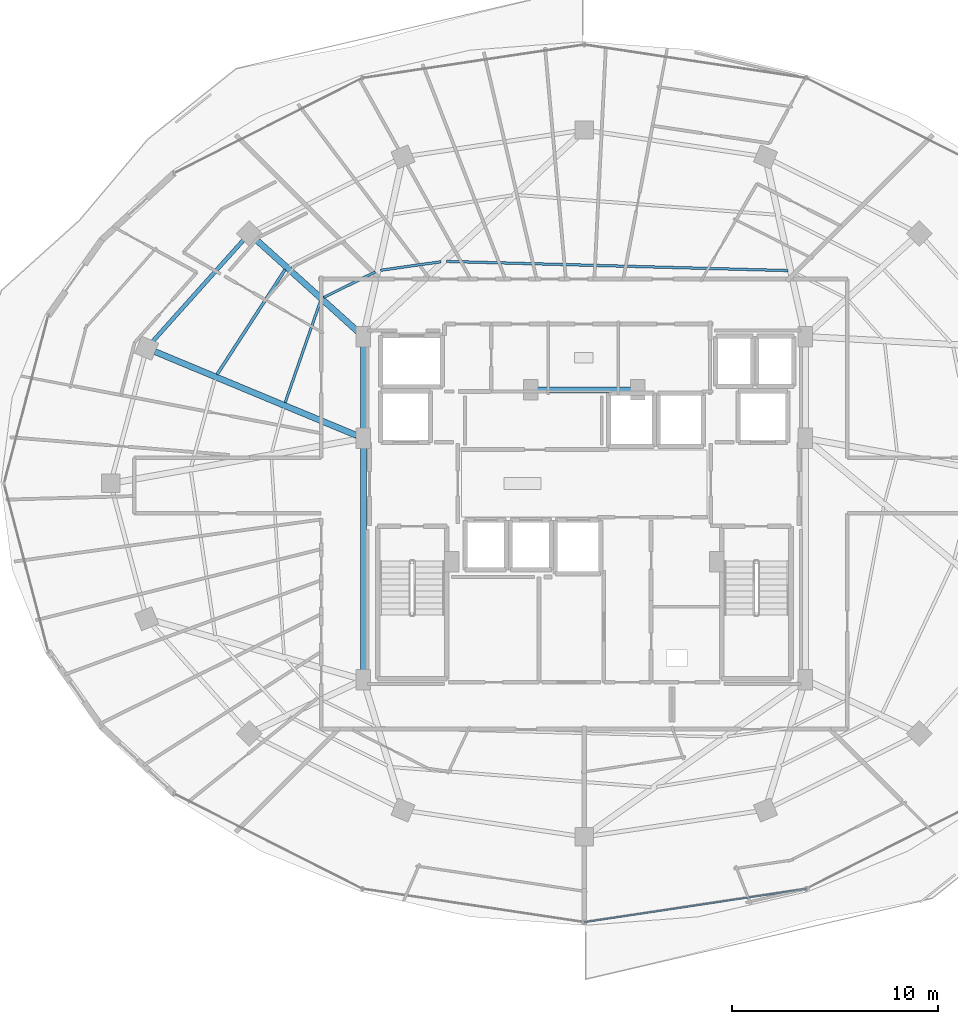
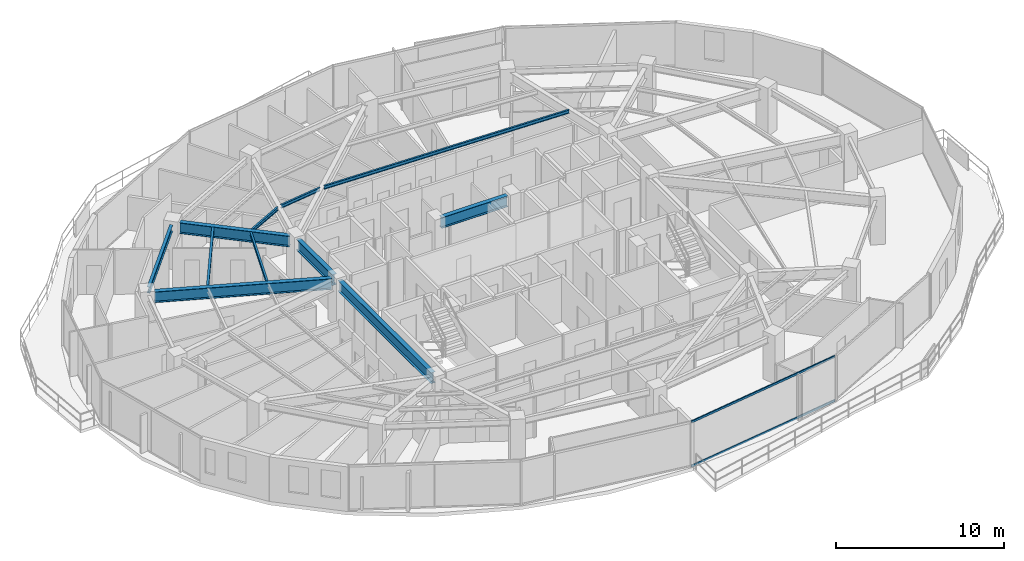
# One storey, part 10 of 31: 11 beams, 2 members, 1 element without a shape of its own.
"""IFC4 building model written with IfcOpenShell, lengths in metres."""

from ifc_helpers import new_model, si_unit, direction, frame, origin, origin_2d, place, context, subcontext, project, spatial, hollow_rectangle, i_section, extrude, material, material_profile, profile_set, type_object, element, aggregate, save


model = new_model("IFC4")

# Units and contexts
model_context = context("Model", 3, precision=1e-05, world=origin(), true_north=direction((0.0, 1.0)))
body_context = subcontext(model_context, "Body", "Model", "MODEL_VIEW")
ifc_project = project(units=[si_unit("LENGTHUNIT", "METRE"), si_unit("AREAUNIT", "SQUARE_METRE"), si_unit("VOLUMEUNIT", "CUBIC_METRE"), si_unit("PLANEANGLEUNIT", "RADIAN"), si_unit("MASSUNIT", "GRAM", prefix="KILO")], contexts=[model_context])

# Site, building, storey
site_placement = place(None, origin())
site = spatial("IfcSite", under=ifc_project, at=site_placement, CompositionType="ELEMENT")
building_placement = place(site_placement, origin())
building = spatial("IfcBuilding", under=site, at=building_placement, Name="Vorneva Point Tower", CompositionType="ELEMENT")
storey_placement = place(building_placement, frame((0.0, 0.0, 193.10009765625)))
storey = spatial("IfcBuildingStorey", under=building, at=storey_placement, Name="L52", CompositionType="ELEMENT", Elevation=193.10009765625)

# Beams
ifc_material_1 = material(Name="Steel S355", Category="steel")
ifc_material_profile_1 = material_profile(ifc_material_1, i_section(OverallWidth=0.300048828125, OverallDepth=0.7880859375, WebThickness=0.014404296875, FlangeThickness=0.02197265625, at=origin_2d()), Name="80Sh1")
ifc_profile_set_1 = profile_set([ifc_material_profile_1], Name="Steel S355")
beam_type_1 = type_object("IfcBeamType", Name="BM-GRD-80Sh1", PredefinedType="USERDEFINED", material=ifc_profile_set_1)
beam_1_placement = place(storey_placement, frame((22.026123046875, 37.86865234375, 2.845947265625), z_axis=(0.742089778537, -0.670300500217, 0.0), x_axis=(0.670300500217, 0.742089778537, 0.0)))
element("IfcBeam", 1, at=beam_1_placement, inside=storey, type_object=beam_type_1, Name="L52 Radial Primary Girder 07", ObjectType="GIRDER", PredefinedType="USERDEFINED", context=body_context, shape_type="SweptSolid", body=[
    extrude(i_section(OverallWidth=0.300048828125, OverallDepth=0.7880859375, WebThickness=0.014404296875, FlangeThickness=0.02197265625, at=origin_2d()), origin(), (0.0, 0.0, 1.0), 6.699462890625),
])
beam_2_placement = place(storey_placement, frame((17.109130859375, 32.4140625, 2.845947265625), z_axis=(0.923445067159, -0.383730645035, 0.0), x_axis=(0.383730645035, 0.923445067159, 0.0)))
element("IfcBeam", 2, at=beam_2_placement, inside=storey, type_object=beam_type_1, Name="L52 Radial Primary Girder 08", ObjectType="GIRDER", PredefinedType="USERDEFINED", context=body_context, shape_type="SweptSolid", body=[
    extrude(i_section(OverallWidth=0.300048828125, OverallDepth=0.7880859375, WebThickness=0.014404296875, FlangeThickness=0.02197265625, at=origin_2d()), origin(), (0.0, 0.0, 1.0), 10.6416015625),
])
beam_3_placement = place(storey_placement, frame((27.25, 16.77001953125, 2.845947265625), z_axis=(0.0, 1.0, 0.0), x_axis=(-1.0, 0.0, 0.0)))
element("IfcBeam", 3, at=beam_3_placement, inside=storey, type_object=beam_type_1, Name="L52 Core Tie Girder CT1", ObjectType="GIRDER", PredefinedType="USERDEFINED", context=body_context, shape_type="SweptSolid", body=[
    extrude(i_section(OverallWidth=0.300048828125, OverallDepth=0.7880859375, WebThickness=0.014404296875, FlangeThickness=0.02197265625, at=origin_2d()), origin(), (0.0, 0.0, 1.0), 11.10986328125),
])
beam_4_placement = place(storey_placement, frame((27.25, 28.52001953125, 2.845947265625), z_axis=(0.0, 1.0, 0.0), x_axis=(-1.0, 0.0, 0.0)))
element("IfcBeam", 4, at=beam_4_placement, inside=storey, type_object=beam_type_1, Name="L52 Core Tie Girder CT2", ObjectType="GIRDER", PredefinedType="USERDEFINED", context=body_context, shape_type="SweptSolid", body=[
    extrude(i_section(OverallWidth=0.300048828125, OverallDepth=0.7880859375, WebThickness=0.014404296875, FlangeThickness=0.02197265625, at=origin_2d()), origin(), (0.0, 0.0, 1.0), 4.31005859375),
])
beam_5_placement = place(storey_placement, frame((35.719970703125, 30.550048828125, 2.845947265625), z_axis=(1.0, 0.0, 0.0), x_axis=(0.0, 1.0, 0.0)))
element("IfcBeam", 5, at=beam_5_placement, inside=storey, type_object=beam_type_1, Name="L52 Core Tie Girder CT8", ObjectType="GIRDER", PredefinedType="USERDEFINED", context=body_context, shape_type="SweptSolid", body=[
    extrude(i_section(OverallWidth=0.300048828125, OverallDepth=0.7880859375, WebThickness=0.014404296875, FlangeThickness=0.02197265625, at=origin_2d()), origin(), (0.0, 0.0, 1.0), 4.56005859375),
])
ifc_material_profile_2 = material_profile(ifc_material_1, i_section(OverallWidth=0.1240234375, OverallDepth=0.248046875, WebThickness=0.0048828125, FlangeThickness=0.008056640625, at=origin_2d()), Name="25B1")
ifc_profile_set_2 = profile_set([ifc_material_profile_2], Name="Steel S355")
beam_type_2 = type_object("IfcBeamType", Name="BM-JST-25B1", PredefinedType="JOIST", material=ifc_profile_set_2)
beam_6_placement = place(storey_placement, frame((47.904541015625, 36.35888671875, 3.115966796875), z_axis=(-0.999638918345, 0.026870670432, 0.0), x_axis=(-0.026870670432, -0.999638918345, 0.0)))
element("IfcBeam", 6, at=beam_6_placement, inside=storey, type_object=beam_type_2, Name="L52 Secondary Floor Beam 2.04", PredefinedType="JOIST", context=body_context, shape_type="SweptSolid", body=[
    extrude(i_section(OverallWidth=0.1240234375, OverallDepth=0.248046875, WebThickness=0.0048828125, FlangeThickness=0.008056640625, at=origin_2d()), origin(), (0.0, 0.0, 1.0), 16.60888671875),
])
beam_7_placement = place(storey_placement, frame((31.027099609375, 36.78955078125, 3.115966796875), z_axis=(-0.990136526525, -0.140105884393, 0.0), x_axis=(0.140105884393, -0.990136526525, 0.0)))
element("IfcBeam", 7, at=beam_7_placement, inside=storey, type_object=beam_type_2, Name="L52 Secondary Floor Beam 2.05", PredefinedType="JOIST", context=body_context, shape_type="SweptSolid", body=[
    extrude(i_section(OverallWidth=0.1240234375, OverallDepth=0.248046875, WebThickness=0.0048828125, FlangeThickness=0.008056640625, at=origin_2d()), origin(), (0.0, 0.0, 1.0), 2.96240234375),
])
beam_8_placement = place(storey_placement, frame((27.833740234375, 36.2939453125, 3.115966796875), z_axis=(-0.896290822353, -0.443466753845, 0.0), x_axis=(0.443466753845, -0.896290822353, 0.0)))
element("IfcBeam", 8, at=beam_8_placement, inside=storey, type_object=beam_type_2, Name="L52 Secondary Floor Beam 2.06", PredefinedType="JOIST", context=body_context, shape_type="SweptSolid", body=[
    extrude(i_section(OverallWidth=0.1240234375, OverallDepth=0.248046875, WebThickness=0.0048828125, FlangeThickness=0.008056640625, at=origin_2d()), origin(), (0.0, 0.0, 1.0), 2.791748046875),
])
beam_9_placement = place(storey_placement, frame((25.16259765625, 34.8642578125, 3.115966796875), z_axis=(-0.329040775193, -0.944315714293, 0.0), x_axis=(0.944315714293, -0.329040775193, 0.0)))
element("IfcBeam", 9, at=beam_9_placement, inside=storey, type_object=beam_type_2, Name="L52 Secondary Floor Beam 2.07", PredefinedType="JOIST", context=body_context, shape_type="SweptSolid", body=[
    extrude(i_section(OverallWidth=0.1240234375, OverallDepth=0.248046875, WebThickness=0.0048828125, FlangeThickness=0.008056640625, at=origin_2d()), origin(), (0.0, 0.0, 1.0), 5.224365234375),
])
ifc_material_profile_3 = material_profile(ifc_material_1, i_section(OverallWidth=0.14892578125, OverallDepth=0.298095703125, WebThickness=0.005615234375, FlangeThickness=0.008056640625, at=origin_2d()), Name="30B1")
ifc_profile_set_3 = profile_set([ifc_material_profile_3], Name="Steel S355")
beam_type_3 = type_object("IfcBeamType", Name="BM-JST-30B1", PredefinedType="JOIST", material=ifc_profile_set_3)
beam_10_placement = place(storey_placement, frame((23.4423828125, 36.405517578125, 3.0908203125), z_axis=(-0.544354543714, -0.83885525017, 0.0), x_axis=(0.83885525017, -0.544354543714, 0.0)))
element("IfcBeam", 10, at=beam_10_placement, inside=storey, type_object=beam_type_3, Name="L52 Secondary Floor Beam 1.07", PredefinedType="JOIST", context=body_context, shape_type="SweptSolid", body=[
    extrude(i_section(OverallWidth=0.14892578125, OverallDepth=0.298095703125, WebThickness=0.005615234375, FlangeThickness=0.008056640625, at=origin_2d()), origin(), (0.0, 0.0, 1.0), 6.080810546875),
])
ifc_material_profile_4 = material_profile(ifc_material_1, i_section(OverallWidth=0.198974609375, OverallDepth=0.446044921875, WebThickness=0.008056640625, FlangeThickness=0.011962890625, at=origin_2d()), Name="45B1")
ifc_profile_set_4 = profile_set([ifc_material_profile_4], Name="Steel S355")
beam_type_4 = type_object("IfcBeamType", Name="BM-SPN-45B1", PredefinedType="SPANDREL", material=ifc_profile_set_4)
beam_11_placement = place(storey_placement, frame((21.410888671875, 37.838134765625, 3.016845703125), z_axis=(-0.66706970547, -0.744995307397, 0.0), x_axis=(0.744995307397, -0.66706970547, 0.0)))
element("IfcBeam", 11, at=beam_11_placement, inside=storey, type_object=beam_type_4, Name="L52 Perimeter Spandrel Ring Beam 07", PredefinedType="SPANDREL", context=body_context, shape_type="SweptSolid", body=[
    extrude(i_section(OverallWidth=0.198974609375, OverallDepth=0.446044921875, WebThickness=0.008056640625, FlangeThickness=0.011962890625, at=origin_2d()), origin(), (0.0, 0.0, 1.0), 6.6201171875),
])

# Curtain wall, members
ifc_material_2 = material(Name="Pale anodised aluminium", Category="aluminium")
curtain_wall_type = type_object("IfcCurtainWallType", Name="CW-RES-SYS", PredefinedType="NOTDEFINED", material=ifc_material_2)
curtain_wall_placement = place(storey_placement, origin())
curtain_wall = element("IfcCurtainWall", 12, at=curtain_wall_placement, inside=storey, type_object=curtain_wall_type, Name="L52 Unitised Curtain Wall CW-L52-R04", PredefinedType="NOTDEFINED")
ifc_material_profile_5 = material_profile(ifc_material_2, hollow_rectangle(XDim=0.074951171875, YDim=0.14990234375, WallThickness=0.00390625, at=origin_2d()), Name="AL-TRN 150x75x4")
ifc_profile_set_5 = profile_set([ifc_material_profile_5], Name="Pale anodised aluminium")
member_type = type_object("IfcMemberType", Name="CW-TRN-150", PredefinedType="USERDEFINED", material=ifc_profile_set_5)
member_1_placement = place(storey_placement, frame((38.0, 4.64990234375, 0.02001953125), z_axis=(0.988872333273, 0.148766624239, 0.0), x_axis=(-0.148766624239, 0.988872333273, 0.0)))
member_1 = element("IfcMember", 13, at=member_1_placement, type_object=member_type, Name="CW-L52-R04 Transom 03.1", ObjectType="TRANSOM", PredefinedType="USERDEFINED", context=body_context, shape_type="SweptSolid", body=[
    extrude(hollow_rectangle(XDim=0.074951171875, YDim=0.14990234375, WallThickness=0.00390625, at=origin_2d()), origin(), (0.0, 0.0, 1.0), 10.9248046875),
])
member_2_placement = place(storey_placement, frame((38.0, 4.64990234375, 3.219970703125), z_axis=(0.988872333273, 0.148766624239, 0.0), x_axis=(-0.148766624239, 0.988872333273, 0.0)))
member_2 = element("IfcMember", 14, at=member_2_placement, type_object=member_type, Name="CW-L52-R04 Transom 03.2", ObjectType="TRANSOM", PredefinedType="USERDEFINED", context=body_context, shape_type="SweptSolid", body=[
    extrude(hollow_rectangle(XDim=0.074951171875, YDim=0.14990234375, WallThickness=0.00390625, at=origin_2d()), origin(), (0.0, 0.0, 1.0), 10.9248046875),
])
aggregate(curtain_wall, [member_1, member_2])

save(model, "model.ifc")
